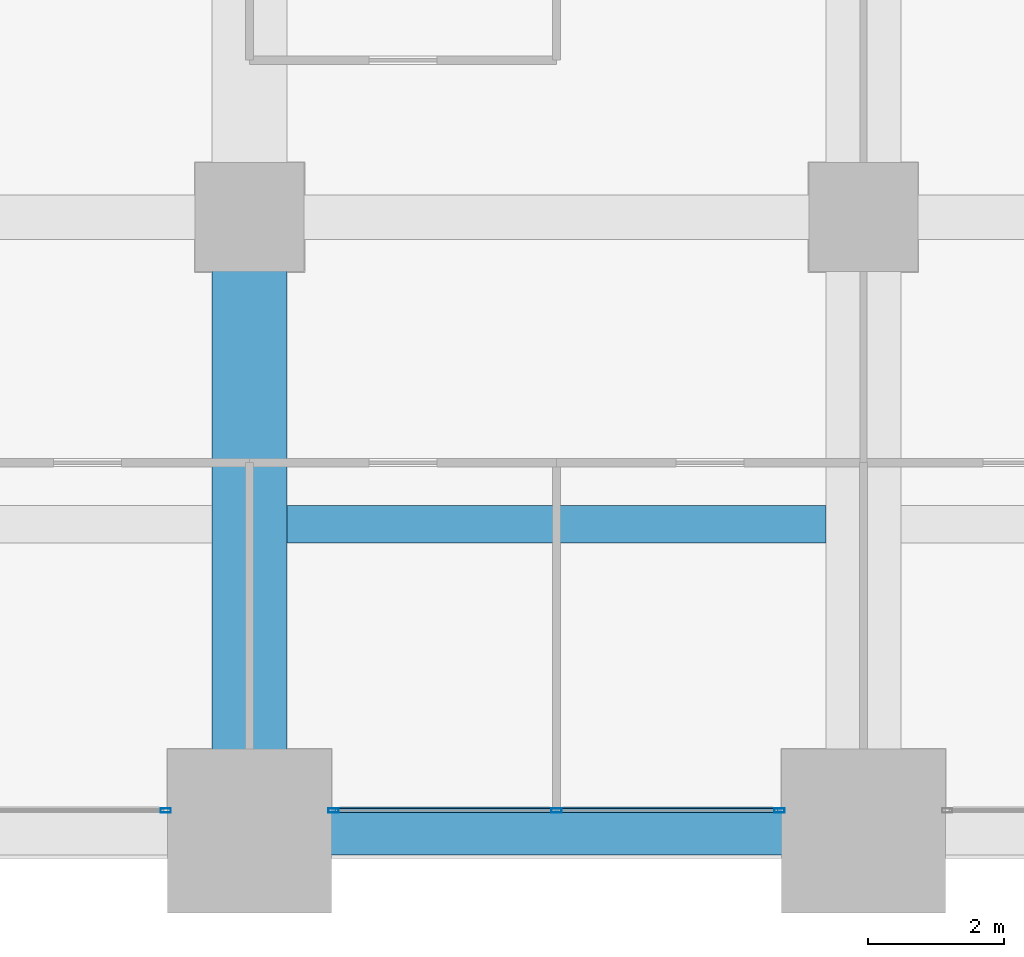
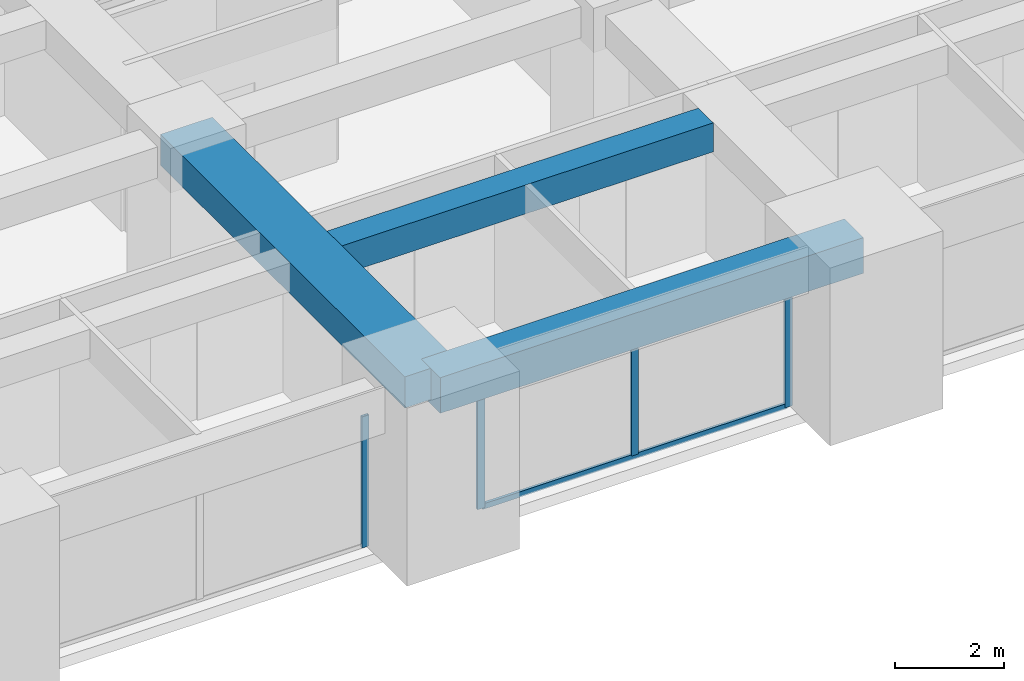
# One storey, part 6 of 34: 5 members, 3 beams, 2 elements without a shape of their own.
"""IFC4 building model written with IfcOpenShell, lengths in metres."""

from ifc_helpers import new_model, si_unit, direction, frame, origin, origin_2d, place, context, subcontext, project, spatial, rectangle, hollow_rectangle, extrude, material, material_profile, profile_set, type_object, element, aggregate, save


model = new_model("IFC4")

# Units and contexts
model_context = context("Model", 3, precision=1e-05, world=origin(), true_north=direction((0.0, 1.0)))
body_context = subcontext(model_context, "Body", "Model", "MODEL_VIEW")
ifc_project = project(units=[si_unit("LENGTHUNIT", "METRE"), si_unit("AREAUNIT", "SQUARE_METRE"), si_unit("VOLUMEUNIT", "CUBIC_METRE"), si_unit("PLANEANGLEUNIT", "RADIAN"), si_unit("MASSUNIT", "GRAM", prefix="KILO")], contexts=[model_context])

# Site, building, storey
site_placement = place(None, origin())
site = spatial("IfcSite", under=ifc_project, at=site_placement, CompositionType="ELEMENT")
building_placement = place(site_placement, origin())
building = spatial("IfcBuilding", under=site, at=building_placement, Name="Zorevar Civic Tower", CompositionType="ELEMENT")
storey_placement = place(building_placement, frame((0.0, 0.0, 174.199951171875)))
storey = spatial("IfcBuildingStorey", under=building, at=storey_placement, Name="L42", CompositionType="ELEMENT", Elevation=174.199951171875)

# Beams
ifc_material_1 = material(Name="Concrete C50/60", Category="concrete")
ifc_material_profile_1 = material_profile(ifc_material_1, rectangle(XDim=1.10009765625, YDim=0.699951171875, at=origin_2d()), Name="RC 1100x700")
ifc_profile_set_1 = profile_set([ifc_material_profile_1], Name="Concrete C50/60")
beam_type_1 = type_object("IfcBeamType", Name="Beam RC 1100x700", PredefinedType="BEAM", material=ifc_profile_set_1)
beam_1_placement = place(storey_placement, frame((18.0, 0.0, 3.400146484375), z_axis=(0.0, 1.0, 0.0), x_axis=(-1.0, 0.0, 0.0)))
element("IfcBeam", 1, at=beam_1_placement, inside=storey, type_object=beam_type_1, Name="Girder L43", PredefinedType="BEAM", context=body_context, shape_type="SweptSolid", body=[
    extrude(rectangle(XDim=1.10009765625, YDim=0.699951171875, at=origin_2d()), origin(), (0.0, 0.0, 1.0), 9.0),
])
ifc_material_2 = material(Name="Concrete C50/60", Category="concrete")
ifc_material_profile_2 = material_profile(ifc_material_2, rectangle(XDim=0.550048828125, YDim=0.64990234375, at=origin_2d()), Name="RC 550x650")
ifc_profile_set_2 = profile_set([ifc_material_profile_2], Name="Concrete C50/60")
beam_type_2 = type_object("IfcBeamType", Name="Beam RC 550x650", PredefinedType="BEAM", material=ifc_profile_set_2)
beam_2_placement = place(storey_placement, frame((18.550048828125, 4.5, 3.425048828125), z_axis=(1.0, 0.0, 0.0), x_axis=(0.0, 1.0, 0.0)))
element("IfcBeam", 2, at=beam_2_placement, inside=storey, type_object=beam_type_2, Name="Secondary beam L43", PredefinedType="BEAM", context=body_context, shape_type="SweptSolid", body=[
    extrude(rectangle(XDim=0.550048828125, YDim=0.64990234375, at=origin_2d()), origin(), (0.0, 0.0, 1.0), 7.89990234375),
])

# Curtain wall, member
ifc_material_3 = material(Name="Dark grey solar-control glass in black aluminium frame", Category="aluminium")
curtain_wall_type = type_object("IfcCurtainWallType", Name="Curtain wall CW4 high zone", PredefinedType="NOTDEFINED", material=ifc_material_3)
curtain_wall_1_placement = place(storey_placement, origin())
curtain_wall_1 = element("IfcCurtainWall", 3, at=curtain_wall_1_placement, inside=storey, type_object=curtain_wall_type, Name="CW4 L42", PredefinedType="NOTDEFINED")
ifc_material_4 = material(Name="Aluminium, black anodised", Category="aluminium")
ifc_material_profile_3 = material_profile(ifc_material_4, hollow_rectangle(XDim=0.06005859375, YDim=0.14990234375, WallThickness=0.00390625, at=origin_2d()), Name="AL 150x60x4")
ifc_profile_set_3 = profile_set([ifc_material_profile_3], Name="Aluminium, black anodised")
member_type_1 = type_object("IfcMemberType", Name="CW4 mullion AL 150x60x4", PredefinedType="MULLION", material=ifc_profile_set_3)
member_1_placement = place(storey_placement, frame((16.77001953125, 0.300048828125, 0.0), z_axis=(0.0, 0.0, 1.0), x_axis=(0.0, 1.0, 0.0)))
member_1 = element("IfcMember", 4, at=member_1_placement, type_object=member_type_1, Name="CW4 mullion 3", PredefinedType="MULLION", context=body_context, shape_type="SweptSolid", body=[
    extrude(hollow_rectangle(XDim=0.06005859375, YDim=0.14990234375, WallThickness=0.00390625, at=origin_2d()), origin(), (0.0, 0.0, 1.0), 2.949951171875),
])
aggregate(curtain_wall_1, [member_1])

# Curtain wall, members
curtain_wall_2_placement = place(storey_placement, origin())
curtain_wall_2 = element("IfcCurtainWall", 5, at=curtain_wall_2_placement, inside=storey, type_object=curtain_wall_type, Name="CW4 L42", PredefinedType="NOTDEFINED")
member_2_placement = place(storey_placement, frame((19.22998046875, 0.300048828125, 0.0), z_axis=(0.0, 0.0, 1.0), x_axis=(0.0, 1.0, 0.0)))
member_2 = element("IfcMember", 6, at=member_2_placement, type_object=member_type_1, Name="CW4 mullion 1", PredefinedType="MULLION", context=body_context, shape_type="SweptSolid", body=[
    extrude(hollow_rectangle(XDim=0.06005859375, YDim=0.14990234375, WallThickness=0.00390625, at=origin_2d()), origin(), (0.0, 0.0, 1.0), 2.949951171875),
])
member_3_placement = place(storey_placement, frame((22.5, 0.300048828125, 0.06005859375), z_axis=(0.0, 0.0, 1.0), x_axis=(0.0, 1.0, 0.0)))
member_3 = element("IfcMember", 7, at=member_3_placement, type_object=member_type_1, Name="CW4 mullion 2", PredefinedType="MULLION", context=body_context, shape_type="SweptSolid", body=[
    extrude(hollow_rectangle(XDim=0.06005859375, YDim=0.14990234375, WallThickness=0.00390625, at=origin_2d()), origin(), (0.0, 0.0, 1.0), 2.889892578125),
])
member_4_placement = place(storey_placement, frame((25.77001953125, 0.300048828125, 0.0), z_axis=(0.0, 0.0, 1.0), x_axis=(0.0, 1.0, 0.0)))
member_4 = element("IfcMember", 8, at=member_4_placement, type_object=member_type_1, Name="CW4 mullion 3", PredefinedType="MULLION", context=body_context, shape_type="SweptSolid", body=[
    extrude(hollow_rectangle(XDim=0.06005859375, YDim=0.14990234375, WallThickness=0.00390625, at=origin_2d()), origin(), (0.0, 0.0, 1.0), 2.949951171875),
])
ifc_material_5 = material(Name="Aluminium, black anodised", Category="aluminium")
ifc_material_profile_4 = material_profile(ifc_material_5, hollow_rectangle(XDim=0.06005859375, YDim=0.1201171875, WallThickness=0.0029296875, at=origin_2d()), Name="AL 120x60x3")
ifc_profile_set_4 = profile_set([ifc_material_profile_4], Name="Aluminium, black anodised")
member_type_2 = type_object("IfcMemberType", Name="CW4 transom AL 120x60x3", PredefinedType="USERDEFINED", material=ifc_profile_set_4)
member_5_placement = place(storey_placement, frame((19.260009765625, 0.300048828125, 0.030029296875), z_axis=(1.0, 0.0, 0.0), x_axis=(0.0, 1.0, 0.0)))
member_5 = element("IfcMember", 9, at=member_5_placement, type_object=member_type_2, Name="CW4 sill transom", ObjectType="TRANSOM", PredefinedType="USERDEFINED", context=body_context, shape_type="SweptSolid", body=[
    extrude(hollow_rectangle(XDim=0.06005859375, YDim=0.1201171875, WallThickness=0.0029296875, at=origin_2d()), origin(), (0.0, 0.0, 1.0), 6.47998046875),
])
aggregate(curtain_wall_2, [member_2, member_3, member_4, member_5])

# Beam
ifc_material_6 = material(Name="Concrete C50/60", Category="concrete")
ifc_material_profile_5 = material_profile(ifc_material_6, rectangle(XDim=0.699951171875, YDim=0.800048828125, at=origin_2d()), Name="RC 700x800")
ifc_profile_set_5 = profile_set([ifc_material_profile_5], Name="Concrete C50/60")
beam_type_3 = type_object("IfcBeamType", Name="Edge beam RC 700x800", PredefinedType="SPANDREL", material=ifc_profile_set_5)
beam_3_placement = place(storey_placement, frame((18.0, 0.0, 3.35009765625), z_axis=(1.0, 0.0, 0.0), x_axis=(0.0, 1.0, 0.0)))
element("IfcBeam", 10, at=beam_3_placement, inside=storey, type_object=beam_type_3, Name="Edge beam L43", PredefinedType="SPANDREL", context=body_context, shape_type="SweptSolid", body=[
    extrude(rectangle(XDim=0.699951171875, YDim=0.800048828125, at=origin_2d()), origin(), (0.0, 0.0, 1.0), 9.0),
])

save(model, "model.ifc")
